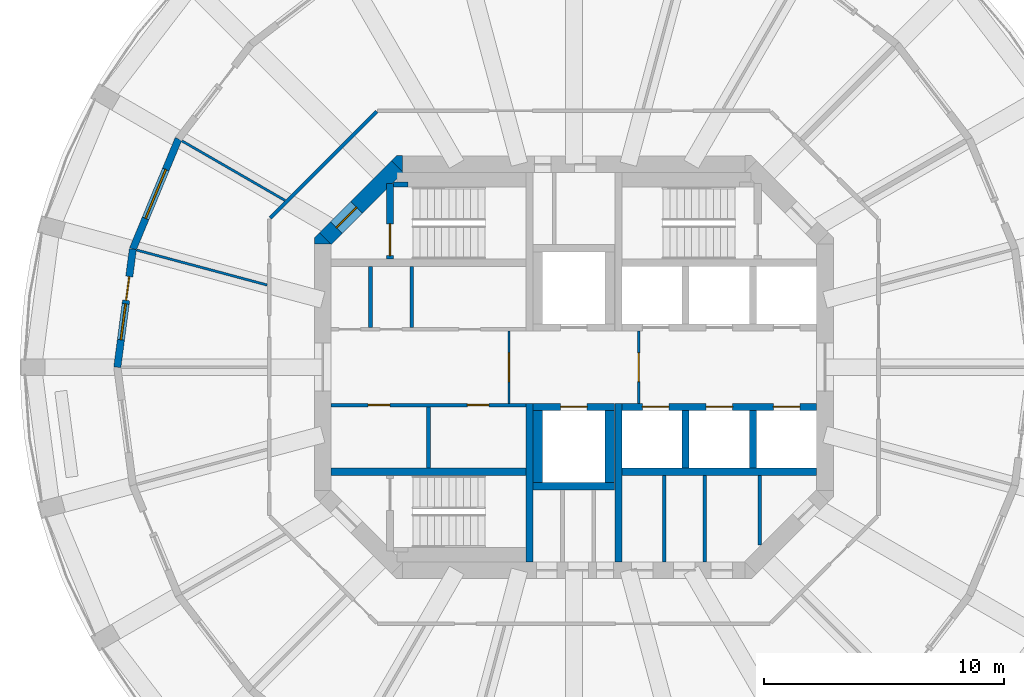
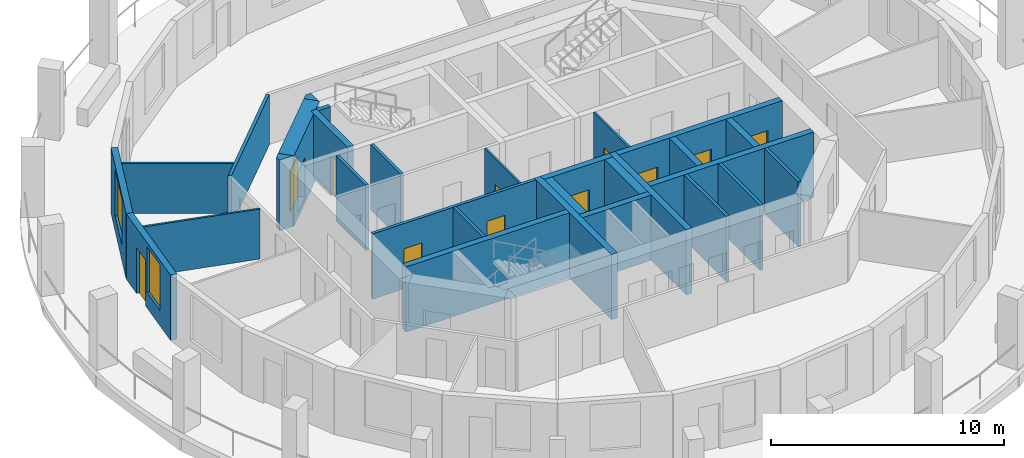
# One storey, part 4 of 9: 30 walls, 11 doors, 2 windows, 13 openings.
"""IFC4 building model written with IfcOpenShell, lengths in metres."""

from ifc_helpers import new_model, si_unit, direction, frame, frame_2d, origin, place, context, subcontext, project, spatial, polyline, rectangle, outline, extrude, material, layer, layer_set, type_object, element, fill, save


model = new_model("IFC4")

# Units and contexts
model_context = context("Model", 3, precision=1e-05, world=origin(), true_north=direction((0.0, 1.0)))
body_context = subcontext(model_context, "Body", "Model", "MODEL_VIEW")
ifc_project = project(units=[si_unit("LENGTHUNIT", "METRE"), si_unit("AREAUNIT", "SQUARE_METRE"), si_unit("VOLUMEUNIT", "CUBIC_METRE"), si_unit("PLANEANGLEUNIT", "RADIAN"), si_unit("MASSUNIT", "GRAM", prefix="KILO")], contexts=[model_context])

# Site, building, storey
site_placement = place(None, origin())
site = spatial("IfcSite", under=ifc_project, at=site_placement, CompositionType="ELEMENT")
building_placement = place(site_placement, origin())
building = spatial("IfcBuilding", under=site, at=building_placement, Name="Torre Triforio", CompositionType="ELEMENT")
storey_placement = place(building_placement, frame((0.0, 0.0, 172.699951171875)))
storey = spatial("IfcBuildingStorey", under=building, at=storey_placement, Name="L39", CompositionType="ELEMENT", Elevation=172.699951171875)

# Walls
ifc_material_1 = material(Name="Concrete C50", Category="concrete")
ifc_layer_1 = layer(ifc_material_1, 0.300048828125)
ifc_layer_set_1 = layer_set([ifc_layer_1], Name="Concrete C50")
wall_type_1 = type_object("IfcWallType", Name="Core wall 300 mm C50 EI 120", PredefinedType="SHEAR", material=ifc_layer_set_1)
for number, where, z_axis, x_axis, name in (
    (1, (-1.85009765625, -8.10009765625, 0.0), (0.0, 0.0, 1.0), (0.0, 1.0, 0.0), "Core wall"),
    (2, (1.85009765625, -8.10009765625, 0.0), (0.0, 0.0, 1.0), (0.0, 1.0, 0.0), "Core wall"),
):
    element("IfcWall", number, at=place(storey_placement, frame(where, z_axis=z_axis, x_axis=x_axis)), inside=storey, type_object=wall_type_1, Name=name, PredefinedType="SHEAR", context=body_context, shape_type="SweptSolid", body=[
        extrude(rectangle(XDim=6.60009765625, YDim=0.300048828125, at=frame_2d((3.300048828125, 0.0))), origin(), (0.0, 0.0, 1.0), 3.420166015625),
    ])

# Wall, opening, door
ifc_layer_2 = layer(ifc_material_1, 0.699951171875)
ifc_layer_set_2 = layer_set([ifc_layer_2], Name="Concrete C50")
wall_type_2 = type_object("IfcWallType", Name="Core wall 700 mm C50 EI 120", PredefinedType="SHEAR", material=ifc_layer_set_2)
wall_1_placement = place(storey_placement, frame((-10.347412109375, 5.347412109375, -0.280029296875), z_axis=(0.0, 0.0, 1.0), x_axis=(0.707106781187, 0.707106781187, 0.0)))
wall_1 = element("IfcWall", 3, at=wall_1_placement, inside=storey, type_object=wall_type_2, Name="Core wall", PredefinedType="SHEAR", context=body_context, shape_type="SweptSolid", body=[
    extrude(rectangle(XDim=4.24267578125, YDim=0.699951171875, at=frame_2d((2.121337890625, 0.0))), origin(), (0.0, 0.0, 1.0), 3.7001953125),
])
opening_1_placement = place(wall_1_placement, frame((0.64990234375, 0.0, 0.280029296875)))
opening_1 = element("IfcOpeningElement", 4, at=opening_1_placement, cuts=wall_1, Name="Opening ST1-EXIT", PredefinedType="OPENING", context=body_context, shape_type="SweptSolid", body=[
    extrude(rectangle(XDim=1.199951171875, YDim=2.10009765625, at=frame_2d((0.60009765625, 1.050048828125))), frame((0.0, 0.35986328125, 0.0), z_axis=(0.0, -1.0, 0.0), x_axis=(1.0, 0.0, 0.0)), (0.0, 0.0, 1.0), 0.719970703125),
])
ifc_material_2 = material(Name="Hollow metal fire door leaf")
door_type_1 = type_object("IfcDoorType", Name="Stair lobby door 1200 x 2100 EI 60", OperationType="NOTDEFINED", PredefinedType="DOOR", material=ifc_material_2)
door_1_placement = place(opening_1_placement, origin())
door_1 = element("IfcDoor", 5, at=door_1_placement, inside=storey, type_object=door_type_1, Name="Core door ST1-EXIT", OperationType="SINGLE_SWING_RIGHT", OverallHeight=2.10009765625, OverallWidth=1.199951171875, PredefinedType="DOOR", context=body_context, shape_type="SweptSolid", body=[
    extrude(rectangle(XDim=1.199951171875, YDim=2.10009765625, at=frame_2d((0.60009765625, 1.050048828125))), frame((0.0, 0.02490234375, 0.0), z_axis=(0.0, -1.0, 0.0), x_axis=(1.0, 0.0, 0.0)), (0.0, 0.0, 1.0), 0.050048828125),
])
fill(opening_1, door_1)

# Walls
wall_2_placement = place(storey_placement, frame((0.0, 0.0, -0.280029296875)))
element("IfcWall", 6, at=wall_2_placement, inside=storey, type_object=wall_type_2, Name="Core wall", PredefinedType="SHEAR", context=body_context, shape_type="SweptSolid", body=[
    extrude(outline(polyline([(-10.594970703125, 5.594970703125), (-10.594970703125, 5.594970703125), (-10.594970703125, 5.594970703125), (-10.1298828125, 5.1298828125), (-10.800048828125, 5.1298828125), (-10.800048828125, 5.1298828125), (-10.800048828125, 5.389892578125), (-10.594970703125, 5.594970703125)])), origin(), (0.0, 0.0, 1.0), 3.7001953125),
])
wall_3_placement = place(storey_placement, frame((0.0, 0.0, -0.280029296875)))
element("IfcWall", 7, at=wall_3_placement, inside=storey, type_object=wall_type_2, Name="Core wall", PredefinedType="SHEAR", context=body_context, shape_type="SweptSolid", body=[
    extrude(outline(polyline([(-7.389892578125, 8.800048828125), (-7.1298828125, 8.800048828125), (-7.1298828125, 8.800048828125), (-7.1298828125, 8.1298828125), (-7.594970703125, 8.594970703125), (-7.594970703125, 8.594970703125), (-7.594970703125, 8.594970703125), (-7.389892578125, 8.800048828125)])), origin(), (0.0, 0.0, 1.0), 3.7001953125),
])
ifc_material_3 = material(Name="Plasterboard on metal studs")
ifc_layer_3 = layer(ifc_material_3, 0.14990234375)
ifc_layer_set_3 = layer_set([ifc_layer_3], Name="Plasterboard on metal studs")
wall_type_3 = type_object("IfcWallType", Name="Corridor and tenancy wall 150 mm EI 60", PredefinedType="PARTITIONING", material=ifc_layer_set_3)
wall_4_placement = place(storey_placement, frame((-12.637939453125, 6.20361328125, 0.0), z_axis=(0.0, 0.0, 1.0), x_axis=(0.707106781187, 0.707106781187, 0.0)))
element("IfcWall", 8, at=wall_4_placement, inside=storey, type_object=wall_type_3, Name="Partition 5", PredefinedType="PARTITIONING", context=body_context, shape_type="SweptSolid", body=[
    extrude(rectangle(XDim=6.27099609375, YDim=0.14990234375, at=frame_2d((3.135498046875, 0.0))), origin(), (0.0, 0.0, 1.0), 2.6201171875),
])

# Wall, opening, door
ifc_material_4 = material(Name="Block and board partition")
ifc_layer_4 = layer(ifc_material_4, 0.10009765625)
ifc_layer_set_4 = layer_set([ifc_layer_4], Name="Block and board partition")
wall_type_4 = type_object("IfcWallType", Name="Partition 100 mm EI 120", PredefinedType="PARTITIONING", material=ifc_layer_set_4)
wall_5_placement = place(storey_placement, frame((-2.699951171875, -1.5, 0.0), z_axis=(0.0, 0.0, 1.0), x_axis=(0.0, 1.0, 0.0)))
wall_5 = element("IfcWall", 9, at=wall_5_placement, inside=storey, type_object=wall_type_4, Name="Partition", PredefinedType="PARTITIONING", context=body_context, shape_type="SweptSolid", body=[
    extrude(rectangle(XDim=3.0, YDim=0.10009765625, at=frame_2d((1.5, 0.0))), origin(), (0.0, 0.0, 1.0), 3.420166015625),
])
opening_2_placement = place(wall_5_placement, frame((0.89990234375, 0.0, 0.0)))
opening_2 = element("IfcOpeningElement", 10, at=opening_2_placement, cuts=wall_5, Name="Opening FF-W", PredefinedType="OPENING", context=body_context, shape_type="SweptSolid", body=[
    extrude(rectangle(XDim=1.199951171875, YDim=2.10009765625, at=frame_2d((0.60009765625, 1.050048828125))), frame((0.0, 0.06005859375, 0.0), z_axis=(0.0, -1.0, 0.0), x_axis=(1.0, 0.0, 0.0)), (0.0, 0.0, 1.0), 0.1201171875),
])
door_type_2 = type_object("IfcDoorType", Name="Fire-fighting lobby door 1200 x 2100 EI 60", OperationType="NOTDEFINED", PredefinedType="DOOR", material=ifc_material_2)
door_2_placement = place(opening_2_placement, origin())
door_2 = element("IfcDoor", 11, at=door_2_placement, inside=storey, type_object=door_type_2, Name="Core door FF-W", OperationType="SINGLE_SWING_LEFT", OverallHeight=2.10009765625, OverallWidth=1.199951171875, PredefinedType="DOOR", context=body_context, shape_type="SweptSolid", body=[
    extrude(rectangle(XDim=1.199951171875, YDim=2.10009765625, at=frame_2d((0.60009765625, 1.050048828125))), frame((0.0, 0.02490234375, 0.0), z_axis=(0.0, -1.0, 0.0), x_axis=(1.0, 0.0, 0.0)), (0.0, 0.0, 1.0), 0.050048828125),
])
fill(opening_2, door_2)

wall_6_placement = place(storey_placement, frame((2.699951171875, -1.5, 0.0), z_axis=(0.0, 0.0, 1.0), x_axis=(0.0, 1.0, 0.0)))
wall_6 = element("IfcWall", 12, at=wall_6_placement, inside=storey, type_object=wall_type_4, Name="Partition", PredefinedType="PARTITIONING", context=body_context, shape_type="SweptSolid", body=[
    extrude(rectangle(XDim=3.0, YDim=0.10009765625, at=frame_2d((1.5, 0.0))), origin(), (0.0, 0.0, 1.0), 3.420166015625),
])
opening_3_placement = place(wall_6_placement, frame((0.89990234375, 0.0, 0.0)))
opening_3 = element("IfcOpeningElement", 13, at=opening_3_placement, cuts=wall_6, Name="Opening FF-E", PredefinedType="OPENING", context=body_context, shape_type="SweptSolid", body=[
    extrude(rectangle(XDim=1.199951171875, YDim=2.10009765625, at=frame_2d((0.60009765625, 1.050048828125))), frame((0.0, 0.06005859375, 0.0), z_axis=(0.0, -1.0, 0.0), x_axis=(1.0, 0.0, 0.0)), (0.0, 0.0, 1.0), 0.1201171875),
])
door_3_placement = place(opening_3_placement, origin())
door_3 = element("IfcDoor", 14, at=door_3_placement, inside=storey, type_object=door_type_2, Name="Core door FF-E", OperationType="SINGLE_SWING_LEFT", OverallHeight=2.10009765625, OverallWidth=1.199951171875, PredefinedType="DOOR", context=body_context, shape_type="SweptSolid", body=[
    extrude(rectangle(XDim=1.199951171875, YDim=2.10009765625, at=frame_2d((0.60009765625, 1.050048828125))), frame((0.0, 0.02490234375, 0.0), z_axis=(0.0, -1.0, 0.0), x_axis=(1.0, 0.0, 0.0)), (0.0, 0.0, 1.0), 0.050048828125),
])
fill(opening_3, door_3)

# Walls
ifc_layer_5 = layer(ifc_material_3, 0.10009765625)
ifc_layer_set_5 = layer_set([ifc_layer_5], Name="Plasterboard on metal studs")
wall_type_5 = type_object("IfcWallType", Name="Partition 100 mm board on metal studs", PredefinedType="PARTITIONING", material=ifc_layer_set_5)
wall_7_placement = place(storey_placement, frame((-12.025146484375, 6.94287109375, 0.0), z_axis=(0.0, 0.0, 1.0), x_axis=(-0.866025463095, 0.499999897272, 0.0)))
element("IfcWall", 15, at=wall_7_placement, inside=storey, type_object=wall_type_5, Name="Partition 17", PredefinedType="PARTITIONING", context=body_context, shape_type="SweptSolid", body=[
    extrude(rectangle(XDim=4.951171875, YDim=0.10009765625, at=frame_2d((2.4755859375, 0.0))), origin(), (0.0, 0.0, 1.0), 2.6201171875),
])
wall_8_placement = place(storey_placement, frame((-12.764404296875, 3.420166015625, 0.0), z_axis=(0.0, 0.0, 1.0), x_axis=(-0.965925759926, 0.258819292773, 0.0)))
element("IfcWall", 16, at=wall_8_placement, inside=storey, type_object=wall_type_5, Name="Partition 18", PredefinedType="PARTITIONING", context=body_context, shape_type="SweptSolid", body=[
    extrude(rectangle(XDim=5.6220703125, YDim=0.10009765625, at=frame_2d((2.81103515625, 0.0))), origin(), (0.0, 0.0, 1.0), 2.6201171875),
])
ifc_layer_6 = layer(ifc_material_4, 0.14990234375)
ifc_layer_set_6 = layer_set([ifc_layer_6], Name="Block and board partition")
wall_type_6 = type_object("IfcWallType", Name="Partition 150 mm", PredefinedType="PARTITIONING", material=ifc_layer_set_6)
for number, where, z_axis, x_axis, name in (
    (17, (3.758056640625, -8.10009765625, 0.0), (0.0, 0.0, 1.0), (0.0, 1.0, 0.0), "Partition"),
    (18, (5.43798828125, -8.10009765625, 0.0), (0.0, 0.0, 1.0), (0.0, 1.0, 0.0), "Partition"),
):
    element("IfcWall", number, at=place(storey_placement, frame(where, z_axis=z_axis, x_axis=x_axis)), inside=storey, type_object=wall_type_6, Name=name, PredefinedType="PARTITIONING", context=body_context, shape_type="SweptSolid", body=[
        extrude(rectangle(XDim=3.60009765625, YDim=0.14990234375, at=frame_2d((1.800048828125, 0.0))), origin(), (0.0, 0.0, 1.0), 3.420166015625),
    ])
wall_9_placement = place(storey_placement, frame((7.72998046875, -7.39501953125, 0.0), z_axis=(0.0, 0.0, 1.0), x_axis=(0.0, 1.0, 0.0)))
element("IfcWall", 19, at=wall_9_placement, inside=storey, type_object=wall_type_6, Name="Partition", PredefinedType="PARTITIONING", context=body_context, shape_type="SweptSolid", body=[
    extrude(rectangle(XDim=2.89501953125, YDim=0.14990234375, at=frame_2d((1.447509765625, 0.0))), origin(), (0.0, 0.0, 1.0), 3.420166015625),
])
for number, where, z_axis, x_axis, name in (
    (20, (-8.465087890625, 1.64990234375, 0.0), (0.0, 0.0, 1.0), (0.0, 1.0, 0.0), "Partition"),
    (21, (-6.7548828125, 1.64990234375, 0.0), (0.0, 0.0, 1.0), (0.0, 1.0, 0.0), "Partition"),
    (22, (-6.050048828125, -4.199951171875, 0.0), (0.0, 0.0, 1.0), (0.0, 1.0, 0.0), "Partition"),
):
    element("IfcWall", number, at=place(storey_placement, frame(where, z_axis=z_axis, x_axis=x_axis)), inside=storey, type_object=wall_type_6, Name=name, PredefinedType="PARTITIONING", context=body_context, shape_type="SweptSolid", body=[
        extrude(rectangle(XDim=2.550048828125, YDim=0.14990234375, at=frame_2d((1.27490234375, 0.0))), origin(), (0.0, 0.0, 1.0), 3.420166015625),
    ])

# Wall, openings, doors
ifc_layer_7 = layer(ifc_material_4, 0.14990234375)
ifc_layer_set_7 = layer_set([ifc_layer_7], Name="Block and board partition")
wall_type_7 = type_object("IfcWallType", Name="Partition 150 mm EI 120", PredefinedType="PARTITIONING", material=ifc_layer_set_7)
wall_10_placement = place(storey_placement, frame((-10.10009765625, -1.574951171875, 0.0), z_axis=(0.0, 0.0, 1.0), x_axis=(1.0, 0.0, 0.0)))
wall_10 = element("IfcWall", 23, at=wall_10_placement, inside=storey, type_object=wall_type_7, Name="Partition", PredefinedType="PARTITIONING", context=body_context, shape_type="SweptSolid", body=[
    extrude(rectangle(XDim=8.10009765625, YDim=0.14990234375, at=frame_2d((4.050048828125, 0.0))), origin(), (0.0, 0.0, 1.0), 3.420166015625),
])
opening_4_placement = place(wall_10_placement, frame((1.53759765625, 0.0, 0.0)))
opening_4 = element("IfcOpeningElement", 24, at=opening_4_placement, cuts=wall_10, Name="Opening FS-01", PredefinedType="OPENING", context=body_context, shape_type="SweptSolid", body=[
    extrude(rectangle(XDim=0.89990234375, YDim=2.10009765625, at=frame_2d((0.449951171875, 1.050048828125))), frame((0.0, 0.0849609375, 0.0), z_axis=(0.0, -1.0, 0.0), x_axis=(1.0, 0.0, 0.0)), (0.0, 0.0, 1.0), 0.169921875),
])
opening_5_placement = place(wall_10_placement, frame((5.66259765625, 0.0, 0.0)))
opening_5 = element("IfcOpeningElement", 25, at=opening_5_placement, cuts=wall_10, Name="Opening FS-02", PredefinedType="OPENING", context=body_context, shape_type="SweptSolid", body=[
    extrude(rectangle(XDim=0.89990234375, YDim=2.10009765625, at=frame_2d((0.449951171875, 1.050048828125))), frame((0.0, 0.0849609375, 0.0), z_axis=(0.0, -1.0, 0.0), x_axis=(1.0, 0.0, 0.0)), (0.0, 0.0, 1.0), 0.169921875),
])
door_type_3 = type_object("IfcDoorType", Name="Room door 900 x 2100 EI 60", OperationType="NOTDEFINED", PredefinedType="DOOR", material=ifc_material_2)
door_4_placement = place(opening_4_placement, origin())
door_4 = element("IfcDoor", 26, at=door_4_placement, inside=storey, type_object=door_type_3, Name="Core door FS-01", OperationType="SINGLE_SWING_LEFT", OverallHeight=2.10009765625, OverallWidth=0.89990234375, PredefinedType="DOOR", context=body_context, shape_type="SweptSolid", body=[
    extrude(rectangle(XDim=0.89990234375, YDim=2.10009765625, at=frame_2d((0.449951171875, 1.050048828125))), frame((0.0, 0.02490234375, 0.0), z_axis=(0.0, -1.0, 0.0), x_axis=(1.0, 0.0, 0.0)), (0.0, 0.0, 1.0), 0.050048828125),
])
fill(opening_4, door_4)
door_5_placement = place(opening_5_placement, origin())
door_5 = element("IfcDoor", 27, at=door_5_placement, inside=storey, type_object=door_type_3, Name="Core door FS-02", OperationType="SINGLE_SWING_LEFT", OverallHeight=2.10009765625, OverallWidth=0.89990234375, PredefinedType="DOOR", context=body_context, shape_type="SweptSolid", body=[
    extrude(rectangle(XDim=0.89990234375, YDim=2.10009765625, at=frame_2d((0.449951171875, 1.050048828125))), frame((0.0, 0.02490234375, 0.0), z_axis=(0.0, -1.0, 0.0), x_axis=(1.0, 0.0, 0.0)), (0.0, 0.0, 1.0), 0.050048828125),
])
fill(opening_5, door_5)

# Walls
ifc_layer_8 = layer(ifc_material_1, 0.300048828125)
ifc_layer_set_8 = layer_set([ifc_layer_8], Name="Concrete C50")
wall_type_8 = type_object("IfcWallType", Name="Shaft wall 300 mm C50 EI 120", PredefinedType="SOLIDWALL", material=ifc_layer_set_8)
for number, where, z_axis, x_axis, name in (
    (28, (-10.10009765625, -4.35009765625, 0.0), (0.0, 0.0, 1.0), (1.0, 0.0, 0.0), "Shaft wall"),
    (29, (2.0, -4.35009765625, 0.0), (0.0, 0.0, 1.0), (1.0, 0.0, 0.0), "Shaft wall"),
):
    element("IfcWall", number, at=place(storey_placement, frame(where, z_axis=z_axis, x_axis=x_axis)), inside=storey, type_object=wall_type_8, Name=name, PredefinedType="SOLIDWALL", context=body_context, shape_type="SweptSolid", body=[
        extrude(rectangle(XDim=8.10009765625, YDim=0.300048828125, at=frame_2d((4.050048828125, 0.0))), origin(), (0.0, 0.0, 1.0), 3.420166015625),
    ])

# Wall, openings, doors
wall_11_placement = place(storey_placement, frame((2.0, -1.64990234375, 0.0), z_axis=(0.0, 0.0, 1.0), x_axis=(1.0, 0.0, 0.0)))
wall_11 = element("IfcWall", 30, at=wall_11_placement, inside=storey, type_object=wall_type_8, Name="Shaft wall", PredefinedType="SOLIDWALL", context=body_context, shape_type="SweptSolid", body=[
    extrude(rectangle(XDim=8.10009765625, YDim=0.300048828125, at=frame_2d((4.050048828125, 0.0))), origin(), (0.0, 0.0, 1.0), 3.420166015625),
])
opening_6_placement = place(wall_11_placement, frame((0.85009765625, 0.0, 0.0)))
opening_6 = element("IfcOpeningElement", 31, at=opening_6_placement, cuts=wall_11, Name="Opening LD", PredefinedType="OPENING", context=body_context, shape_type="SweptSolid", body=[
    extrude(rectangle(XDim=1.10009765625, YDim=2.10009765625, at=frame_2d((0.550048828125, 1.050048828125))), frame((0.0, 0.159912109375, 0.0), z_axis=(0.0, -1.0, 0.0), x_axis=(1.0, 0.0, 0.0)), (0.0, 0.0, 1.0), 0.320068359375),
])
opening_7_placement = place(wall_11_placement, frame((3.5, 0.0, 0.0)))
opening_7 = element("IfcOpeningElement", 32, at=opening_7_placement, cuts=wall_11, Name="Opening LD", PredefinedType="OPENING", context=body_context, shape_type="SweptSolid", body=[
    extrude(rectangle(XDim=1.10009765625, YDim=2.10009765625, at=frame_2d((0.550048828125, 1.050048828125))), frame((0.0, 0.159912109375, 0.0), z_axis=(0.0, -1.0, 0.0), x_axis=(1.0, 0.0, 0.0)), (0.0, 0.0, 1.0), 0.320068359375),
])
opening_8_placement = place(wall_11_placement, frame((6.300048828125, 0.0, 0.0)))
opening_8 = element("IfcOpeningElement", 33, at=opening_8_placement, cuts=wall_11, Name="Opening LD", PredefinedType="OPENING", context=body_context, shape_type="SweptSolid", body=[
    extrude(rectangle(XDim=1.10009765625, YDim=2.10009765625, at=frame_2d((0.550048828125, 1.050048828125))), frame((0.0, 0.159912109375, 0.0), z_axis=(0.0, -1.0, 0.0), x_axis=(1.0, 0.0, 0.0)), (0.0, 0.0, 1.0), 0.320068359375),
])
door_type_4 = type_object("IfcDoorType", Name="Landing door 1100 x 2100 EI 60", OperationType="DOUBLE_DOOR_SLIDING", PredefinedType="DOOR", material=ifc_material_2)
door_6_placement = place(opening_6_placement, origin())
door_6 = element("IfcDoor", 34, at=door_6_placement, inside=storey, type_object=door_type_4, Name="Landing door HR4", OperationType="DOUBLE_DOOR_SLIDING", OverallHeight=2.10009765625, OverallWidth=1.10009765625, PredefinedType="DOOR", context=body_context, shape_type="SweptSolid", body=[
    extrude(rectangle(XDim=1.10009765625, YDim=2.10009765625, at=frame_2d((0.550048828125, 1.050048828125))), frame((0.0, 0.02490234375, 0.0), z_axis=(0.0, -1.0, 0.0), x_axis=(1.0, 0.0, 0.0)), (0.0, 0.0, 1.0), 0.050048828125),
])
fill(opening_6, door_6)
door_7_placement = place(opening_7_placement, origin())
door_7 = element("IfcDoor", 35, at=door_7_placement, inside=storey, type_object=door_type_4, Name="Landing door HR5", OperationType="DOUBLE_DOOR_SLIDING", OverallHeight=2.10009765625, OverallWidth=1.10009765625, PredefinedType="DOOR", context=body_context, shape_type="SweptSolid", body=[
    extrude(rectangle(XDim=1.10009765625, YDim=2.10009765625, at=frame_2d((0.550048828125, 1.050048828125))), frame((0.0, 0.02490234375, 0.0), z_axis=(0.0, -1.0, 0.0), x_axis=(1.0, 0.0, 0.0)), (0.0, 0.0, 1.0), 0.050048828125),
])
fill(opening_7, door_7)
door_8_placement = place(opening_8_placement, origin())
door_8 = element("IfcDoor", 36, at=door_8_placement, inside=storey, type_object=door_type_4, Name="Landing door HR6", OperationType="DOUBLE_DOOR_SLIDING", OverallHeight=2.10009765625, OverallWidth=1.10009765625, PredefinedType="DOOR", context=body_context, shape_type="SweptSolid", body=[
    extrude(rectangle(XDim=1.10009765625, YDim=2.10009765625, at=frame_2d((0.550048828125, 1.050048828125))), frame((0.0, 0.02490234375, 0.0), z_axis=(0.0, -1.0, 0.0), x_axis=(1.0, 0.0, 0.0)), (0.0, 0.0, 1.0), 0.050048828125),
])
fill(opening_8, door_8)

# Walls
for number, where, z_axis, x_axis, name in (
    (37, (4.64990234375, -4.199951171875, 0.0), (0.0, 0.0, 1.0), (0.0, 1.0, 0.0), "Shaft wall"),
    (38, (7.449951171875, -4.199951171875, 0.0), (0.0, 0.0, 1.0), (0.0, 1.0, 0.0), "Shaft wall"),
):
    element("IfcWall", number, at=place(storey_placement, frame(where, z_axis=z_axis, x_axis=x_axis)), inside=storey, type_object=wall_type_8, Name=name, PredefinedType="SOLIDWALL", context=body_context, shape_type="SweptSolid", body=[
        extrude(rectangle(XDim=2.39990234375, YDim=0.300048828125, at=frame_2d((1.199951171875, 0.0))), origin(), (0.0, 0.0, 1.0), 3.420166015625),
    ])

# Wall, opening, door
wall_12_placement = place(storey_placement, frame((-1.699951171875, -1.64990234375, 0.0), z_axis=(0.0, 0.0, 1.0), x_axis=(1.0, 0.0, 0.0)))
wall_12 = element("IfcWall", 39, at=wall_12_placement, inside=storey, type_object=wall_type_8, Name="Shaft wall", PredefinedType="SOLIDWALL", context=body_context, shape_type="SweptSolid", body=[
    extrude(rectangle(XDim=3.39990234375, YDim=0.300048828125, at=frame_2d((1.699951171875, 0.0))), origin(), (0.0, 0.0, 1.0), 3.420166015625),
])
opening_9_placement = place(wall_12_placement, frame((1.14990234375, 0.0, 0.0)))
opening_9 = element("IfcOpeningElement", 40, at=opening_9_placement, cuts=wall_12, Name="Opening LD", PredefinedType="OPENING", context=body_context, shape_type="SweptSolid", body=[
    extrude(rectangle(XDim=1.10009765625, YDim=2.10009765625, at=frame_2d((0.550048828125, 1.050048828125))), frame((0.0, 0.159912109375, 0.0), z_axis=(0.0, -1.0, 0.0), x_axis=(1.0, 0.0, 0.0)), (0.0, 0.0, 1.0), 0.320068359375),
])
door_9_placement = place(opening_9_placement, origin())
door_9 = element("IfcDoor", 41, at=door_9_placement, inside=storey, type_object=door_type_4, Name="Landing door FFL2", OperationType="DOUBLE_DOOR_SLIDING", OverallHeight=2.10009765625, OverallWidth=1.10009765625, PredefinedType="DOOR", context=body_context, shape_type="SweptSolid", body=[
    extrude(rectangle(XDim=1.10009765625, YDim=2.10009765625, at=frame_2d((0.550048828125, 1.050048828125))), frame((0.0, 0.02490234375, 0.0), z_axis=(0.0, -1.0, 0.0), x_axis=(1.0, 0.0, 0.0)), (0.0, 0.0, 1.0), 0.050048828125),
])
fill(opening_9, door_9)

# Walls
wall_13_placement = place(storey_placement, frame((-1.699951171875, -4.949951171875, 0.0), z_axis=(0.0, 0.0, 1.0), x_axis=(1.0, 0.0, 0.0)))
element("IfcWall", 42, at=wall_13_placement, inside=storey, type_object=wall_type_8, Name="Shaft wall", PredefinedType="SOLIDWALL", context=body_context, shape_type="SweptSolid", body=[
    extrude(rectangle(XDim=3.39990234375, YDim=0.300048828125, at=frame_2d((1.699951171875, 0.0))), origin(), (0.0, 0.0, 1.0), 3.420166015625),
])
ifc_layer_9 = layer(ifc_material_1, 0.39990234375)
ifc_layer_set_9 = layer_set([ifc_layer_9], Name="Concrete C50")
wall_type_9 = type_object("IfcWallType", Name="Shaft wall 400 mm C50 EI 120", PredefinedType="SOLIDWALL", material=ifc_layer_set_9)
for number, where, z_axis, x_axis, name in (
    (43, (-1.5, -4.800048828125, 0.0), (0.0, 0.0, 1.0), (0.0, 1.0, 0.0), "Shaft wall"),
    (44, (1.5, -4.800048828125, 0.0), (0.0, 0.0, 1.0), (0.0, 1.0, 0.0), "Shaft wall"),
):
    element("IfcWall", number, at=place(storey_placement, frame(where, z_axis=z_axis, x_axis=x_axis)), inside=storey, type_object=wall_type_9, Name=name, PredefinedType="SOLIDWALL", context=body_context, shape_type="SweptSolid", body=[
        extrude(rectangle(XDim=3.0, YDim=0.39990234375, at=frame_2d((1.5, 0.0))), origin(), (0.0, 0.0, 1.0), 3.420166015625),
    ])
ifc_layer_10 = layer(ifc_material_1, 0.199951171875)
ifc_layer_set_10 = layer_set([ifc_layer_10], Name="Concrete C50")
wall_type_10 = type_object("IfcWallType", Name="Stair wall 200 mm C50 EI 120", PredefinedType="SHEAR", material=ifc_layer_set_10)
wall_14_placement = place(storey_placement, frame((-7.5, 7.60009765625, 0.0), z_axis=(0.0, 0.0, 1.0), x_axis=(1.0, 0.0, 0.0)))
element("IfcWall", 45, at=wall_14_placement, inside=storey, type_object=wall_type_10, Name="Stair wall", PredefinedType="SHEAR", context=body_context, shape_type="SweptSolid", body=[
    extrude(rectangle(XDim=0.60009765625, YDim=0.199951171875, at=frame_2d((0.300048828125, 0.0))), origin(), (0.0, 0.0, 1.0), 3.420166015625),
])

# Wall, opening, door
ifc_layer_11 = layer(ifc_material_1, 0.300048828125)
ifc_layer_set_11 = layer_set([ifc_layer_11], Name="Concrete C50")
wall_type_11 = type_object("IfcWallType", Name="Stair wall 300 mm C50 EI 120", PredefinedType="SHEAR", material=ifc_layer_set_11)
wall_15_placement = place(storey_placement, frame((-7.64990234375, 4.5, 0.0), z_axis=(0.0, 0.0, 1.0), x_axis=(0.0, 1.0, 0.0)))
wall_15 = element("IfcWall", 46, at=wall_15_placement, inside=storey, type_object=wall_type_11, Name="Stair wall", PredefinedType="SHEAR", context=body_context, shape_type="SweptSolid", body=[
    extrude(rectangle(XDim=3.139892578125, YDim=0.300048828125, at=frame_2d((1.56982421875, 0.0))), origin(), (0.0, 0.0, 1.0), 3.420166015625),
])
opening_10_placement = place(wall_15_placement, frame((0.139892578125, 0.0, 0.0)))
opening_10 = element("IfcOpeningElement", 47, at=opening_10_placement, cuts=wall_15, Name="Opening ST1-STA", PredefinedType="OPENING", context=body_context, shape_type="SweptSolid", body=[
    extrude(rectangle(XDim=1.320068359375, YDim=2.10009765625, at=frame_2d((0.66015625, 1.050048828125))), frame((0.0, 0.159912109375, 0.0), z_axis=(0.0, -1.0, 0.0), x_axis=(1.0, 0.0, 0.0)), (0.0, 0.0, 1.0), 0.320068359375),
])
door_type_5 = type_object("IfcDoorType", Name="Stair door 1320 x 2100 EI 90", OperationType="DOUBLE_DOOR_SINGLE_SWING", PredefinedType="DOOR", material=ifc_material_2)
door_10_placement = place(opening_10_placement, origin())
door_10 = element("IfcDoor", 48, at=door_10_placement, inside=storey, type_object=door_type_5, Name="Core door ST1-ST", OperationType="DOUBLE_DOOR_SINGLE_SWING", OverallHeight=2.10009765625, OverallWidth=1.320068359375, PredefinedType="DOOR", context=body_context, shape_type="SweptSolid", body=[
    extrude(rectangle(XDim=1.320068359375, YDim=2.10009765625, at=frame_2d((0.66015625, 1.050048828125))), frame((0.0, 0.02490234375, 0.0), z_axis=(0.0, -1.0, 0.0), x_axis=(1.0, 0.0, 0.0)), (0.0, 0.0, 1.0), 0.050048828125),
])
fill(opening_10, door_10)

# Wall, opening, window
ifc_material_5 = material(Name="Limestone cladding", Category="masonry")
ifc_layer_12 = layer(ifc_material_5, 0.10009765625)
ifc_material_6 = material(Name="Concrete C40", Category="concrete")
ifc_layer_13 = layer(ifc_material_6, 0.199951171875)
ifc_layer_set_12 = layer_set([ifc_layer_12, ifc_layer_13], Name="Limestone cladding / Concrete C40")
wall_type_12 = type_object("IfcWallType", Name="Stone-faced composite wall 300", PredefinedType="STANDARD", material=ifc_layer_set_12)
wall_16_placement = place(storey_placement, frame((-16.45458984375, 9.5, 0.0), z_axis=(0.0, 0.0, 1.0), x_axis=(-0.382650301762, -0.923893254961, 0.0)))
wall_16 = element("IfcWall", 49, at=wall_16_placement, inside=storey, type_object=wall_type_12, Name="External wall L39 bay 11", PredefinedType="STANDARD", context=body_context, shape_type="SweptSolid", body=[
    extrude(rectangle(XDim=4.9599609375, YDim=0.300048828125, at=frame_2d((2.47998046875, 0.0))), origin(), (0.0, 0.0, 1.0), 3.420166015625),
])
opening_11_placement = place(wall_16_placement, frame((1.3798828125, 0.0, 0.800048828125)))
opening_11 = element("IfcOpeningElement", 50, at=opening_11_placement, cuts=wall_16, Name="Opening O2-W11", PredefinedType="OPENING", context=body_context, shape_type="SweptSolid", body=[
    extrude(rectangle(XDim=2.199951171875, YDim=2.39990234375, at=frame_2d((1.10009765625, 1.199951171875))), frame((0.0, 0.159912109375, 0.0), z_axis=(0.0, -1.0, 0.0), x_axis=(1.0, 0.0, 0.0)), (0.0, 0.0, 1.0), 0.320068359375),
])
ifc_material_7 = material(Name="Aluminium frame with clear double glazing", Category="aluminium")
window_type_1 = type_object("IfcWindowType", Name="Punched window 2200 x 2400", PartitioningType="DOUBLE_PANEL_VERTICAL", PredefinedType="WINDOW", material=ifc_material_7)
window_1_placement = place(opening_11_placement, origin())
window_1 = element("IfcWindow", 51, at=window_1_placement, inside=storey, type_object=window_type_1, Name="Window EWN5 L39 bay 11", OverallHeight=2.39990234375, OverallWidth=2.199951171875, PartitioningType="SINGLE_PANEL", PredefinedType="WINDOW", context=body_context, shape_type="SweptSolid", body=[
    extrude(rectangle(XDim=2.199951171875, YDim=2.39990234375, at=frame_2d((1.10009765625, 1.199951171875))), frame((0.0, 0.030029296875, 0.0), z_axis=(0.0, -1.0, 0.0), x_axis=(1.0, 0.0, 0.0)), (0.0, 0.0, 1.0), 0.06005859375),
])
fill(opening_11, window_1)

# Wall, openings, door, window
wall_17_placement = place(storey_placement, frame((-18.3525390625, 4.91748046875, 0.0), z_axis=(0.0, 0.0, 1.0), x_axis=(-0.130538549191, -0.991443234469, 0.0)))
wall_17 = element("IfcWall", 52, at=wall_17_placement, inside=storey, type_object=wall_type_12, Name="External wall L39 bay 12", PredefinedType="STANDARD", context=body_context, shape_type="SweptSolid", body=[
    extrude(rectangle(XDim=4.9599609375, YDim=0.300048828125, at=frame_2d((2.47998046875, 0.0))), origin(), (0.0, 0.0, 1.0), 3.420166015625),
])
opening_12_placement = place(wall_17_placement, frame((1.155029296875, 0.0, 0.0)))
opening_12 = element("IfcOpeningElement", 53, at=opening_12_placement, cuts=wall_17, Name="Opening O2-D12", PredefinedType="OPENING", context=body_context, shape_type="SweptSolid", body=[
    extrude(rectangle(XDim=1.0, YDim=2.39990234375, at=frame_2d((0.5, 1.199951171875))), frame((0.0, 0.159912109375, 0.0), z_axis=(0.0, -1.0, 0.0), x_axis=(1.0, 0.0, 0.0)), (0.0, 0.0, 1.0), 0.320068359375),
])
opening_13_placement = place(wall_17_placement, frame((2.304931640625, 0.0, 0.800048828125)))
opening_13 = element("IfcOpeningElement", 54, at=opening_13_placement, cuts=wall_17, Name="Opening O2-W12A", PredefinedType="OPENING", context=body_context, shape_type="SweptSolid", body=[
    extrude(rectangle(XDim=1.5, YDim=2.39990234375, at=frame_2d((0.75, 1.199951171875))), frame((0.0, 0.159912109375, 0.0), z_axis=(0.0, -1.0, 0.0), x_axis=(1.0, 0.0, 0.0)), (0.0, 0.0, 1.0), 0.320068359375),
])
door_type_6 = type_object("IfcDoorType", Name="Loggia door 1000 x 2400", OperationType="NOTDEFINED", PredefinedType="DOOR", material=ifc_material_7)
door_11_placement = place(opening_12_placement, origin())
door_11 = element("IfcDoor", 55, at=door_11_placement, inside=storey, type_object=door_type_6, Name="Loggia door L39 bay 12", OperationType="SINGLE_SWING_LEFT", OverallHeight=2.39990234375, OverallWidth=1.0, PredefinedType="DOOR", context=body_context, shape_type="SweptSolid", body=[
    extrude(rectangle(XDim=1.0, YDim=2.39990234375, at=frame_2d((0.5, 1.199951171875))), frame((0.0, 0.02490234375, 0.0), z_axis=(0.0, -1.0, 0.0), x_axis=(1.0, 0.0, 0.0)), (0.0, 0.0, 1.0), 0.050048828125),
])
fill(opening_12, door_11)
window_type_2 = type_object("IfcWindowType", Name="Side window 1500 x 2400", PartitioningType="SINGLE_PANEL", PredefinedType="WINDOW", material=ifc_material_7)
window_2_placement = place(opening_13_placement, origin())
window_2 = element("IfcWindow", 56, at=window_2_placement, inside=storey, type_object=window_type_2, Name="Side window EWN14 L39 bay 12", OverallHeight=2.39990234375, OverallWidth=1.5, PartitioningType="SINGLE_PANEL", PredefinedType="WINDOW", context=body_context, shape_type="SweptSolid", body=[
    extrude(rectangle(XDim=1.5, YDim=2.39990234375, at=frame_2d((0.75, 1.199951171875))), frame((0.0, 0.030029296875, 0.0), z_axis=(0.0, -1.0, 0.0), x_axis=(1.0, 0.0, 0.0)), (0.0, 0.0, 1.0), 0.06005859375),
])
fill(opening_13, window_2)

save(model, "model.ifc")
